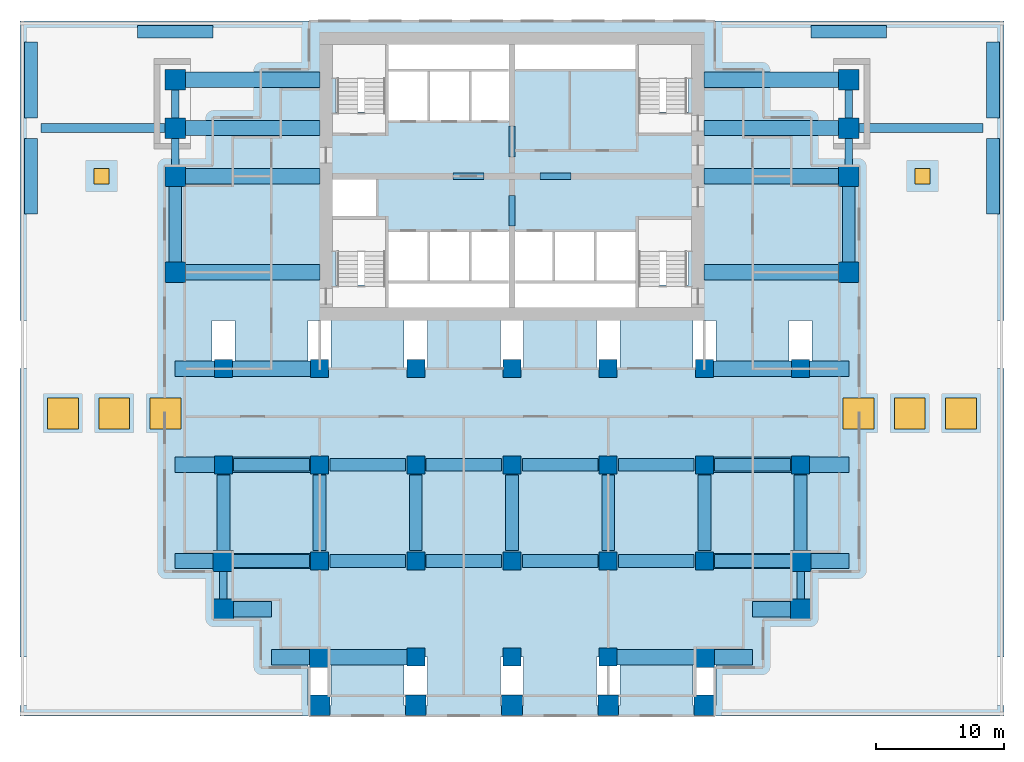
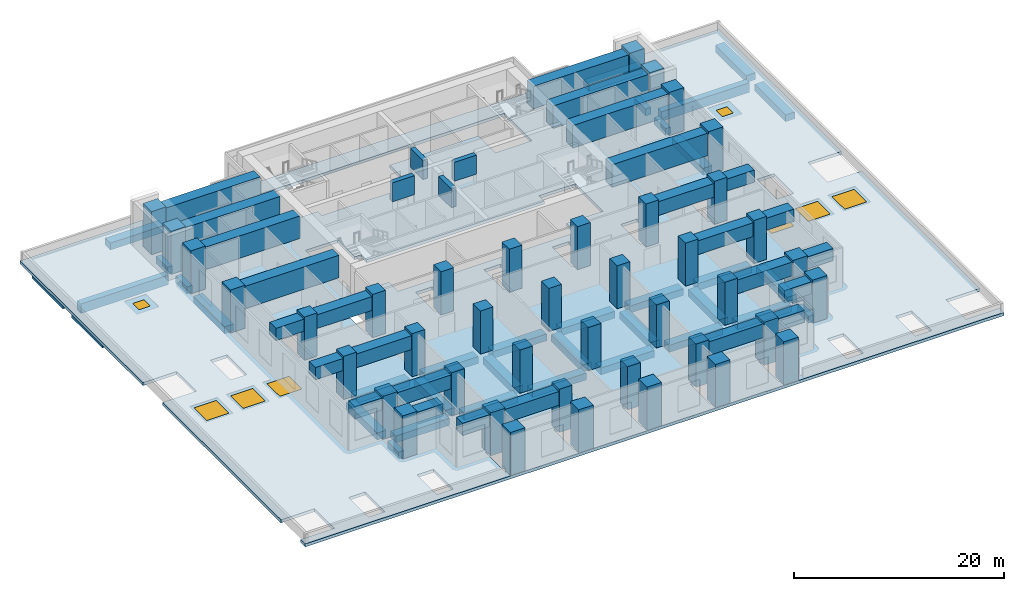
# One storey, part 1 of 9: 65 beams, 41 columns, 8 windows, 1 slab, 8 openings.
"""IFC4 building model written with IfcOpenShell, lengths in metres."""

from ifc_helpers import new_model, si_unit, direction, frame, origin, origin_2d, place, context, subcontext, project, spatial, polyline, rectangle, outline, extrude, material, layer, layer_set, material_profile, profile_set, type_object, element, fill, save


model = new_model("IFC4")

# Units and contexts
model_context = context("Model", 3, precision=1e-05, world=origin(), true_north=direction((0.0, 1.0)))
body_context = subcontext(model_context, "Body", "Model", "MODEL_VIEW")
ifc_project = project(units=[si_unit("LENGTHUNIT", "METRE"), si_unit("AREAUNIT", "SQUARE_METRE"), si_unit("VOLUMEUNIT", "CUBIC_METRE"), si_unit("PLANEANGLEUNIT", "RADIAN"), si_unit("MASSUNIT", "GRAM", prefix="KILO")], contexts=[model_context])

# Site, building, storey
site_placement = place(None, origin())
site = spatial("IfcSite", under=ifc_project, at=site_placement, CompositionType="ELEMENT")
building_placement = place(site_placement, origin())
building = spatial("IfcBuilding", under=site, at=building_placement, Name="Pilkhan Gate Tower", CompositionType="ELEMENT")
storey_placement = place(building_placement, frame((0.0, 0.0, 30.0)))
storey = spatial("IfcBuildingStorey", under=building, at=storey_placement, Name="L04", CompositionType="ELEMENT", Elevation=30.0)

# Columns
ifc_material_1 = material(Name="Concrete C70/85", Category="concrete")
ifc_material_profile_1 = material_profile(ifc_material_1, rectangle(XDim=1.39990234375, YDim=1.39990234375, at=origin_2d()), Name="RC 1400x1400")
ifc_profile_set_1 = profile_set([ifc_material_profile_1], Name="Concrete C70/85")
column_type_1 = type_object("IfcColumnType", Name="Column C140 RC 1400x1400 C70/85", PredefinedType="COLUMN", material=ifc_profile_set_1)
for number, where, z_axis, x_axis, name in (
    (1, (52.5, 60.0, 0.0), (0.0, 0.0, 1.0), (1.0, 0.0, 0.0), "Column 5/F L04"),
    (2, (52.5, 67.5, 0.0), (0.0, 0.0, 1.0), (1.0, 0.0, 0.0), "Column 5/H L04"),
    (3, (60.0, 52.5, 0.0), (0.0, 0.0, 1.0), (1.0, 0.0, 0.0), "Column 7/D L04"),
    (4, (60.0, 60.0, 0.0), (0.0, 0.0, 1.0), (1.0, 0.0, 0.0), "Column 7/F L04"),
    (5, (60.0, 67.5, 0.0), (0.0, 0.0, 1.0), (1.0, 0.0, 0.0), "Column 7/H L04"),
    (6, (67.5, 45.0, 0.0), (0.0, 0.0, 1.0), (1.0, 0.0, 0.0), "Column 9/B L04"),
    (7, (67.5, 52.5, 0.0), (0.0, 0.0, 1.0), (1.0, 0.0, 0.0), "Column 9/D L04"),
    (8, (67.5, 60.0, 0.0), (0.0, 0.0, 1.0), (1.0, 0.0, 0.0), "Column 9/F L04"),
    (9, (67.5, 67.5, 0.0), (0.0, 0.0, 1.0), (1.0, 0.0, 0.0), "Column 9/H L04"),
    (10, (75.0, 45.0, 0.0), (0.0, 0.0, 1.0), (1.0, 0.0, 0.0), "Column 11/B L04"),
    (11, (75.0, 52.5, 0.0), (0.0, 0.0, 1.0), (1.0, 0.0, 0.0), "Column 11/D L04"),
    (12, (75.0, 60.0, 0.0), (0.0, 0.0, 1.0), (1.0, 0.0, 0.0), "Column 11/F L04"),
    (13, (75.0, 67.5, 0.0), (0.0, 0.0, 1.0), (1.0, 0.0, 0.0), "Column 11/H L04"),
    (14, (82.5, 45.0, 0.0), (0.0, 0.0, 1.0), (1.0, 0.0, 0.0), "Column 13/B L04"),
    (15, (82.5, 52.5, 0.0), (0.0, 0.0, 1.0), (1.0, 0.0, 0.0), "Column 13/D L04"),
    (16, (82.5, 60.0, 0.0), (0.0, 0.0, 1.0), (1.0, 0.0, 0.0), "Column 13/F L04"),
    (17, (82.5, 67.5, 0.0), (0.0, 0.0, 1.0), (1.0, 0.0, 0.0), "Column 13/H L04"),
    (18, (90.0, 52.5, 0.0), (0.0, 0.0, 1.0), (1.0, 0.0, 0.0), "Column 15/D L04"),
    (19, (90.0, 60.0, 0.0), (0.0, 0.0, 1.0), (1.0, 0.0, 0.0), "Column 15/F L04"),
    (20, (90.0, 67.5, 0.0), (0.0, 0.0, 1.0), (1.0, 0.0, 0.0), "Column 15/H L04"),
    (21, (97.5, 60.0, 0.0), (0.0, 0.0, 1.0), (1.0, 0.0, 0.0), "Column 17/F L04"),
    (22, (97.5, 67.5, 0.0), (0.0, 0.0, 1.0), (1.0, 0.0, 0.0), "Column 17/H L04"),
):
    element("IfcColumn", number, at=place(storey_placement, frame(where, z_axis=z_axis, x_axis=x_axis)), inside=storey, type_object=column_type_1, Name=name, PredefinedType="COLUMN", context=body_context, shape_type="SweptSolid", body=[
        extrude(rectangle(XDim=1.39990234375, YDim=1.39990234375, at=origin_2d()), origin(), (0.0, 0.0, 1.0), 5.0),
    ])
ifc_material_profile_2 = material_profile(ifc_material_1, rectangle(XDim=1.60009765625, YDim=1.60009765625, at=origin_2d()), Name="RC 1600x1600")
ifc_profile_set_2 = profile_set([ifc_material_profile_2], Name="Concrete C70/85")
column_type_2 = type_object("IfcColumnType", Name="Column C160 RC 1600x1600 C70/85", PredefinedType="COLUMN", material=ifc_profile_set_2)
for number, where, z_axis, x_axis, name in (
    (23, (48.75, 75.0, 0.0), (0.0, 0.0, 1.0), (1.0, 0.0, 0.0), "Column 4/K L04"),
    (24, (48.75, 82.5, 0.0), (0.0, 0.0, 1.0), (1.0, 0.0, 0.0), "Column 4/M L04"),
    (25, (101.25, 75.0, 0.0), (0.0, 0.0, 1.0), (1.0, 0.0, 0.0), "Column 18/K L04"),
    (26, (101.25, 82.5, 0.0), (0.0, 0.0, 1.0), (1.0, 0.0, 0.0), "Column 18/M L04"),
    (27, (52.5, 48.75, 0.0), (0.0, 0.0, 1.0), (1.0, 0.0, 0.0), "Column 5/C L04"),
    (28, (52.5, 52.5, 0.0), (0.0, 0.0, 1.0), (1.0, 0.0, 0.0), "Column 5/D L04"),
    (29, (60.0, 41.25, 0.0), (0.0, 0.0, 1.0), (1.0, 0.0, 0.0), "Column 7/A L04"),
    (30, (60.0, 45.0, 0.0), (0.0, 0.0, 1.0), (1.0, 0.0, 0.0), "Column 7/B L04"),
    (31, (67.5, 41.25, 0.0), (0.0, 0.0, 1.0), (1.0, 0.0, 0.0), "Column 9/A L04"),
    (32, (75.0, 41.25, 0.0), (0.0, 0.0, 1.0), (1.0, 0.0, 0.0), "Column 11/A L04"),
    (33, (82.5, 41.25, 0.0), (0.0, 0.0, 1.0), (1.0, 0.0, 0.0), "Column 13/A L04"),
    (34, (90.0, 41.25, 0.0), (0.0, 0.0, 1.0), (1.0, 0.0, 0.0), "Column 15/A L04"),
    (35, (90.0, 45.0, 0.0), (0.0, 0.0, 1.0), (1.0, 0.0, 0.0), "Column 15/B L04"),
    (36, (97.5, 48.75, 0.0), (0.0, 0.0, 1.0), (1.0, 0.0, 0.0), "Column 17/C L04"),
    (37, (97.5, 52.5, 0.0), (0.0, 0.0, 1.0), (1.0, 0.0, 0.0), "Column 17/D L04"),
    (38, (48.75, 86.25, 0.0), (0.0, 0.0, 1.0), (1.0, 0.0, 0.0), "Column 4/N L04"),
    (39, (48.75, 90.0, 0.0), (0.0, 0.0, 1.0), (1.0, 0.0, 0.0), "Column 4/P L04"),
    (40, (101.25, 86.25, 0.0), (0.0, 0.0, 1.0), (1.0, 0.0, 0.0), "Column 18/N L04"),
    (41, (101.25, 90.0, 0.0), (0.0, 0.0, 1.0), (1.0, 0.0, 0.0), "Column 18/P L04"),
):
    element("IfcColumn", number, at=place(storey_placement, frame(where, z_axis=z_axis, x_axis=x_axis)), inside=storey, type_object=column_type_2, Name=name, PredefinedType="COLUMN", context=body_context, shape_type="SweptSolid", body=[
        extrude(rectangle(XDim=1.60009765625, YDim=1.60009765625, at=origin_2d()), origin(), (0.0, 0.0, 1.0), 5.0),
    ])

# Beams
ifc_material_profile_3 = material_profile(ifc_material_1, rectangle(XDim=0.5, YDim=2.199951171875, at=origin_2d()), Name="RC 500x2200")
ifc_profile_set_3 = profile_set([ifc_material_profile_3], Name="Concrete C70/85")
beam_type_1 = type_object("IfcBeamType", Name="Coupling beam CB220 RC 500x2200 C70/85", PredefinedType="LINTEL", material=ifc_profile_set_3)
for number, where, z_axis, x_axis, name in (
    (42, (70.39990234375, 82.5, 3.60009765625), (1.0, 0.0, 0.0), (0.0, 1.0, 0.0), "Coupling beam 1 L04"),
    (43, (77.199951171875, 82.5, 3.60009765625), (1.0, 0.0, 0.0), (0.0, 1.0, 0.0), "Coupling beam 2 L04"),
):
    element("IfcBeam", number, at=place(storey_placement, frame(where, z_axis=z_axis, x_axis=x_axis)), inside=storey, type_object=beam_type_1, Name=name, PredefinedType="LINTEL", context=body_context, shape_type="SweptSolid", body=[
        extrude(rectangle(XDim=0.5, YDim=2.199951171875, at=origin_2d()), origin(), (0.0, 0.0, 1.0), 2.400146484375),
    ])
for number, where, z_axis, x_axis, name in (
    (44, (75.0, 78.60009765625, 3.60009765625), (0.0, 1.0, 0.0), (-1.0, 0.0, 0.0), "Coupling beam 3 L04"),
    (45, (75.0, 84.0, 3.60009765625), (0.0, 1.0, 0.0), (-1.0, 0.0, 0.0), "Coupling beam 4 L04"),
):
    element("IfcBeam", number, at=place(storey_placement, frame(where, z_axis=z_axis, x_axis=x_axis)), inside=storey, type_object=beam_type_1, Name=name, PredefinedType="LINTEL", context=body_context, shape_type="SweptSolid", body=[
        extrude(rectangle(XDim=0.5, YDim=2.199951171875, at=origin_2d()), origin(), (0.0, 0.0, 1.0), 2.39990234375),
    ])
ifc_material_2 = material(Name="Concrete C50/60", Category="concrete")
ifc_material_profile_4 = material_profile(ifc_material_2, rectangle(XDim=0.699951171875, YDim=1.10009765625, at=origin_2d()), Name="RC 700x1100")
ifc_profile_set_4 = profile_set([ifc_material_profile_4], Name="Concrete C50/60")
beam_type_2 = type_object("IfcBeamType", Name="Podium girder PG110 RC 700x1100 C50/60", PredefinedType="BEAM", material=ifc_profile_set_4)
for number, where, z_axis, x_axis, name in (
    (46, (38.300048828125, 86.25, -0.89990234375), (1.0, 0.0, 0.0), (0.0, 1.0, 0.0), "Podium beam 3 L04"),
    (47, (102.050048828125, 86.25, -0.89990234375), (1.0, 0.0, 0.0), (0.0, 1.0, 0.0), "Podium beam 33 L04"),
):
    element("IfcBeam", number, at=place(storey_placement, frame(where, z_axis=z_axis, x_axis=x_axis)), inside=storey, type_object=beam_type_2, Name=name, PredefinedType="BEAM", context=body_context, shape_type="SweptSolid", body=[
        extrude(rectangle(XDim=0.699951171875, YDim=1.10009765625, at=origin_2d()), origin(), (0.0, 0.0, 1.0), 9.64990234375),
    ])
ifc_material_profile_5 = material_profile(ifc_material_2, rectangle(XDim=1.0, YDim=0.800048828125, at=origin_2d()), Name="RC 1000x800")
ifc_profile_set_5 = profile_set([ifc_material_profile_5], Name="Concrete C50/60")
beam_type_3 = type_object("IfcBeamType", Name="Podium joist PJ80 RC 1000x800 C50/60", PredefinedType="JOIST", material=ifc_profile_set_5)
for number, where, z_axis, x_axis, name in (
    (48, (37.5, 79.550048828125, -0.75), (0.0, 1.0, 0.0), (-1.0, 0.0, 0.0), "Podium beam 1 L04"),
    (49, (37.5, 87.050048828125, -0.75), (0.0, 1.0, 0.0), (-1.0, 0.0, 0.0), "Podium beam 2 L04"),
    (50, (45.800048828125, 93.75, -0.75), (1.0, 0.0, 0.0), (0.0, 1.0, 0.0), "Podium beam 4 L04"),
    (51, (48.75, 75.800048828125, -0.75), (0.0, 1.0, 0.0), (-1.0, 0.0, 0.0), "Podium beam 5 L04"),
    (52, (52.5, 53.300048828125, -0.75), (0.0, 1.0, 0.0), (-1.0, 0.0, 0.0), "Podium beam 9 L04"),
    (53, (53.300048828125, 52.5, -0.75), (1.0, 0.0, 0.0), (0.0, 1.0, 0.0), "Podium beam 10 L04"),
    (54, (53.300048828125, 60.0, -0.75), (1.0, 0.0, 0.0), (0.0, 1.0, 0.0), "Podium beam 11 L04"),
    (55, (60.0, 53.300048828125, -0.75), (0.0, 1.0, 0.0), (-1.0, 0.0, 0.0), "Podium beam 12 L04"),
    (56, (60.800048828125, 52.5, -0.75), (1.0, 0.0, 0.0), (0.0, 1.0, 0.0), "Podium beam 13 L04"),
    (57, (60.800048828125, 60.0, -0.75), (1.0, 0.0, 0.0), (0.0, 1.0, 0.0), "Podium beam 14 L04"),
    (58, (67.5, 53.300048828125, -0.75), (0.0, 1.0, 0.0), (-1.0, 0.0, 0.0), "Podium beam 15 L04"),
    (59, (68.300048828125, 52.5, -0.75), (1.0, 0.0, 0.0), (0.0, 1.0, 0.0), "Podium beam 16 L04"),
    (60, (68.300048828125, 60.0, -0.75), (1.0, 0.0, 0.0), (0.0, 1.0, 0.0), "Podium beam 17 L04"),
    (61, (75.0, 53.300048828125, -0.75), (0.0, 1.0, 0.0), (-1.0, 0.0, 0.0), "Podium beam 18 L04"),
    (62, (75.800048828125, 52.5, -0.75), (1.0, 0.0, 0.0), (0.0, 1.0, 0.0), "Podium beam 19 L04"),
    (63, (75.800048828125, 60.0, -0.75), (1.0, 0.0, 0.0), (0.0, 1.0, 0.0), "Podium beam 20 L04"),
    (64, (82.5, 53.300048828125, -0.75), (0.0, 1.0, 0.0), (-1.0, 0.0, 0.0), "Podium beam 21 L04"),
    (65, (83.300048828125, 52.5, -0.75), (1.0, 0.0, 0.0), (0.0, 1.0, 0.0), "Podium beam 22 L04"),
    (66, (83.300048828125, 60.0, -0.75), (1.0, 0.0, 0.0), (0.0, 1.0, 0.0), "Podium beam 23 L04"),
    (67, (90.0, 53.300048828125, -0.75), (0.0, 1.0, 0.0), (-1.0, 0.0, 0.0), "Podium beam 24 L04"),
    (68, (90.800048828125, 52.5, -0.75), (1.0, 0.0, 0.0), (0.0, 1.0, 0.0), "Podium beam 25 L04"),
    (69, (90.800048828125, 60.0, -0.75), (1.0, 0.0, 0.0), (0.0, 1.0, 0.0), "Podium beam 26 L04"),
    (70, (97.5, 53.300048828125, -0.75), (0.0, 1.0, 0.0), (-1.0, 0.0, 0.0), "Podium beam 28 L04"),
    (71, (98.300048828125, 93.75, -0.75), (1.0, 0.0, 0.0), (0.0, 1.0, 0.0), "Podium beam 29 L04"),
    (72, (101.25, 75.800048828125, -0.75), (0.0, 1.0, 0.0), (-1.0, 0.0, 0.0), "Podium beam 30 L04"),
    (73, (112.5, 79.550048828125, -0.75), (0.0, 1.0, 0.0), (-1.0, 0.0, 0.0), "Podium beam 34 L04"),
    (74, (112.5, 87.050048828125, -0.75), (0.0, 1.0, 0.0), (-1.0, 0.0, 0.0), "Podium beam 35 L04"),
):
    element("IfcBeam", number, at=place(storey_placement, frame(where, z_axis=z_axis, x_axis=x_axis)), inside=storey, type_object=beam_type_3, Name=name, PredefinedType="JOIST", context=body_context, shape_type="SweptSolid", body=[
        extrude(rectangle(XDim=1.0, YDim=0.800048828125, at=origin_2d()), origin(), (0.0, 0.0, 1.0), 5.89990234375),
    ])
ifc_material_profile_6 = material_profile(ifc_material_2, rectangle(XDim=0.60009765625, YDim=0.800048828125, at=origin_2d()), Name="RC 600x800")
ifc_profile_set_6 = profile_set([ifc_material_profile_6], Name="Concrete C50/60")
beam_type_4 = type_object("IfcBeamType", Name="Podium joist PJ81 RC 600x800 C50/60", PredefinedType="JOIST", material=ifc_profile_set_6)
for number, where, z_axis, x_axis, name in (
    (75, (48.75, 83.300048828125, -0.75), (0.0, 1.0, 0.0), (-1.0, 0.0, 0.0), "Podium beam 6 L04"),
    (76, (48.75, 87.050048828125, -0.75), (0.0, 1.0, 0.0), (-1.0, 0.0, 0.0), "Podium beam 7 L04"),
    (77, (52.5, 49.550048828125, -0.75), (0.0, 1.0, 0.0), (-1.0, 0.0, 0.0), "Podium beam 8 L04"),
    (78, (97.5, 49.550048828125, -0.75), (0.0, 1.0, 0.0), (-1.0, 0.0, 0.0), "Podium beam 27 L04"),
    (79, (101.25, 83.300048828125, -0.75), (0.0, 1.0, 0.0), (-1.0, 0.0, 0.0), "Podium beam 31 L04"),
    (80, (101.25, 87.050048828125, -0.75), (0.0, 1.0, 0.0), (-1.0, 0.0, 0.0), "Podium beam 32 L04"),
):
    element("IfcBeam", number, at=place(storey_placement, frame(where, z_axis=z_axis, x_axis=x_axis)), inside=storey, type_object=beam_type_4, Name=name, PredefinedType="JOIST", context=body_context, shape_type="SweptSolid", body=[
        extrude(rectangle(XDim=0.60009765625, YDim=0.800048828125, at=origin_2d()), origin(), (0.0, 0.0, 1.0), 2.14990234375),
    ])
ifc_material_profile_7 = material_profile(ifc_material_1, rectangle(XDim=1.199951171875, YDim=1.60009765625, at=origin_2d()), Name="RC 1200x1600")
ifc_profile_set_7 = profile_set([ifc_material_profile_7], Name="Concrete C70/85")
beam_type_5 = type_object("IfcBeamType", Name="Transfer girder back-span TG1B16 RC 1200x1600 C70/85", PredefinedType="BEAM", material=ifc_profile_set_7)
beam_1_placement = place(storey_placement, frame((53.25, 52.5, 3.89990234375), z_axis=(1.0, 0.0, 0.0), x_axis=(0.0, 1.0, 0.0)))
element("IfcBeam", 81, at=beam_1_placement, inside=storey, type_object=beam_type_5, Name="Transfer girder back-span 1 L04", PredefinedType="BEAM", context=body_context, shape_type="SweptSolid", body=[
    extrude(rectangle(XDim=1.199951171875, YDim=1.60009765625, at=origin_2d()), origin(), (0.0, 0.0, 1.0), 6.10009765625),
])
for number, where, z_axis, x_axis, name in (
    (82, (53.14990234375, 60.0, 3.89990234375), (1.0, 0.0, 0.0), (0.0, 1.0, 0.0), "Transfer girder back-span 2 L04"),
    (83, (53.14990234375, 67.5, 3.89990234375), (1.0, 0.0, 0.0), (0.0, 1.0, 0.0), "Transfer girder back-span 3 L04"),
):
    element("IfcBeam", number, at=place(storey_placement, frame(where, z_axis=z_axis, x_axis=x_axis)), inside=storey, type_object=beam_type_5, Name=name, PredefinedType="BEAM", context=body_context, shape_type="SweptSolid", body=[
        extrude(rectangle(XDim=1.199951171875, YDim=1.60009765625, at=origin_2d()), origin(), (0.0, 0.0, 1.0), 6.2001953125),
    ])
for number, where, z_axis, x_axis, name in (
    (84, (60.75, 45.0, 3.89990234375), (1.0, 0.0, 0.0), (0.0, 1.0, 0.0), "Transfer girder back-span 4 L04"),
    (85, (89.25, 45.0, 3.89990234375), (-1.0, 0.0, 0.0), (0.0, -1.0, 0.0), "Transfer girder back-span 6 L04"),
    (86, (96.75, 52.5, 3.89990234375), (-1.0, 0.0, 0.0), (0.0, -1.0, 0.0), "Transfer girder back-span 8 L04"),
):
    element("IfcBeam", number, at=place(storey_placement, frame(where, z_axis=z_axis, x_axis=x_axis)), inside=storey, type_object=beam_type_5, Name=name, PredefinedType="BEAM", context=body_context, shape_type="SweptSolid", body=[
        extrude(rectangle(XDim=1.199951171875, YDim=1.60009765625, at=origin_2d()), origin(), (0.0, 0.0, 1.0), 6.10009765625),
    ])
for number, where, z_axis, x_axis, name in (
    (87, (96.85009765625, 60.0, 3.89990234375), (-1.0, 0.0, 0.0), (0.0, -1.0, 0.0), "Transfer girder back-span 9 L04"),
    (88, (96.85009765625, 67.5, 3.89990234375), (-1.0, 0.0, 0.0), (0.0, -1.0, 0.0), "Transfer girder back-span 10 L04"),
):
    element("IfcBeam", number, at=place(storey_placement, frame(where, z_axis=z_axis, x_axis=x_axis)), inside=storey, type_object=beam_type_5, Name=name, PredefinedType="BEAM", context=body_context, shape_type="SweptSolid", body=[
        extrude(rectangle(XDim=1.199951171875, YDim=1.60009765625, at=origin_2d()), origin(), (0.0, 0.0, 1.0), 6.2001953125),
    ])
ifc_material_profile_8 = material_profile(ifc_material_1, rectangle(XDim=1.199951171875, YDim=1.39990234375, at=origin_2d()), Name="RC 1200x1400")
ifc_profile_set_8 = profile_set([ifc_material_profile_8], Name="Concrete C70/85")
beam_type_6 = type_object("IfcBeamType", Name="Transfer girder tip TG1T14 RC 1200x1400 C70/85", PredefinedType="BEAM", material=ifc_profile_set_8)
beam_2_placement = place(storey_placement, frame((48.75, 52.5, 4.0), z_axis=(1.0, 0.0, 0.0), x_axis=(0.0, 1.0, 0.0)))
element("IfcBeam", 89, at=beam_2_placement, inside=storey, type_object=beam_type_6, Name="Transfer girder 1 L04", PredefinedType="BEAM", context=body_context, shape_type="SweptSolid", body=[
    extrude(rectangle(XDim=1.199951171875, YDim=1.39990234375, at=origin_2d()), origin(), (0.0, 0.0, 1.0), 2.949951171875),
])
for number, where, z_axis, x_axis, name in (
    (90, (48.75, 60.0, 4.0), (1.0, 0.0, 0.0), (0.0, 1.0, 0.0), "Transfer girder 2 L04"),
    (91, (48.75, 67.5, 4.0), (1.0, 0.0, 0.0), (0.0, 1.0, 0.0), "Transfer girder 3 L04"),
):
    element("IfcBeam", number, at=place(storey_placement, frame(where, z_axis=z_axis, x_axis=x_axis)), inside=storey, type_object=beam_type_6, Name=name, PredefinedType="BEAM", context=body_context, shape_type="SweptSolid", body=[
        extrude(rectangle(XDim=1.199951171875, YDim=1.39990234375, at=origin_2d()), origin(), (0.0, 0.0, 1.0), 3.050048828125),
    ])
for number, where, z_axis, x_axis, name in (
    (92, (56.25, 45.0, 4.0), (1.0, 0.0, 0.0), (0.0, 1.0, 0.0), "Transfer girder 4 L04"),
    (93, (56.25, 48.75, 4.0), (-1.0, 0.0, 0.0), (0.0, -1.0, 0.0), "Transfer girder 5 L04"),
    (94, (93.75, 45.0, 4.0), (-1.0, 0.0, 0.0), (0.0, -1.0, 0.0), "Transfer girder 6 L04"),
    (95, (93.75, 48.75, 4.0), (1.0, 0.0, 0.0), (0.0, 1.0, 0.0), "Transfer girder 7 L04"),
    (96, (101.25, 52.5, 4.0), (-1.0, 0.0, 0.0), (0.0, -1.0, 0.0), "Transfer girder 8 L04"),
):
    element("IfcBeam", number, at=place(storey_placement, frame(where, z_axis=z_axis, x_axis=x_axis)), inside=storey, type_object=beam_type_6, Name=name, PredefinedType="BEAM", context=body_context, shape_type="SweptSolid", body=[
        extrude(rectangle(XDim=1.199951171875, YDim=1.39990234375, at=origin_2d()), origin(), (0.0, 0.0, 1.0), 2.949951171875),
    ])
for number, where, z_axis, x_axis, name in (
    (97, (101.25, 60.0, 4.0), (-1.0, 0.0, 0.0), (0.0, -1.0, 0.0), "Transfer girder 9 L04"),
    (98, (101.25, 67.5, 4.0), (-1.0, 0.0, 0.0), (0.0, -1.0, 0.0), "Transfer girder 10 L04"),
):
    element("IfcBeam", number, at=place(storey_placement, frame(where, z_axis=z_axis, x_axis=x_axis)), inside=storey, type_object=beam_type_6, Name=name, PredefinedType="BEAM", context=body_context, shape_type="SweptSolid", body=[
        extrude(rectangle(XDim=1.199951171875, YDim=1.39990234375, at=origin_2d()), origin(), (0.0, 0.0, 1.0), 3.050048828125),
    ])
ifc_material_profile_9 = material_profile(ifc_material_1, rectangle(XDim=1.199951171875, YDim=2.60009765625, at=origin_2d()), Name="RC 1200x2600")
ifc_profile_set_9 = profile_set([ifc_material_profile_9], Name="Concrete C70/85")
beam_type_7 = type_object("IfcBeamType", Name="Transfer girder wing TG1W RC 1200x2600 C70/85", PredefinedType="BEAM", material=ifc_profile_set_9)
for number, where, z_axis, x_axis, name in (
    (99, (49.550048828125, 75.0, 3.39990234375), (1.0, 0.0, 0.0), (0.0, 1.0, 0.0), "Transfer girder wing 1 L04"),
    (100, (49.550048828125, 82.5, 3.39990234375), (1.0, 0.0, 0.0), (0.0, 1.0, 0.0), "Transfer girder wing 2 L04"),
    (101, (49.550048828125, 86.25, 3.39990234375), (1.0, 0.0, 0.0), (0.0, 1.0, 0.0), "Transfer girder wing 3 L04"),
    (102, (49.550048828125, 90.0, 3.39990234375), (1.0, 0.0, 0.0), (0.0, 1.0, 0.0), "Transfer girder wing 4 L04"),
    (103, (100.449951171875, 75.0, 3.39990234375), (-1.0, 0.0, 0.0), (0.0, -1.0, 0.0), "Transfer girder wing 5 L04"),
    (104, (100.449951171875, 82.5, 3.39990234375), (-1.0, 0.0, 0.0), (0.0, -1.0, 0.0), "Transfer girder wing 6 L04"),
    (105, (100.449951171875, 86.25, 3.39990234375), (-1.0, 0.0, 0.0), (0.0, -1.0, 0.0), "Transfer girder wing 7 L04"),
    (106, (100.449951171875, 90.0, 3.39990234375), (-1.0, 0.0, 0.0), (0.0, -1.0, 0.0), "Transfer girder wing 8 L04"),
):
    element("IfcBeam", number, at=place(storey_placement, frame(where, z_axis=z_axis, x_axis=x_axis)), inside=storey, type_object=beam_type_7, Name=name, PredefinedType="BEAM", context=body_context, shape_type="SweptSolid", body=[
        extrude(rectangle(XDim=1.199951171875, YDim=2.60009765625, at=origin_2d()), origin(), (0.0, 0.0, 1.0), 10.469970703125),
    ])

# Slab, openings, windows
ifc_material_3 = material(Name="Concrete C40/50", Category="concrete")
ifc_layer = layer(ifc_material_3, 0.35009765625)
ifc_layer_set = layer_set([ifc_layer], Name="Flat plate slab FP350")
slab_type = type_object("IfcSlabType", Name="Flat plate slab FP350", PredefinedType="FLOOR", material=ifc_layer_set)
slab_placement = place(storey_placement, frame((0.0, 0.0, -0.35009765625)))
slab = element("IfcSlab", 107, at=slab_placement, inside=storey, type_object=slab_type, Name="Floor slab L04", PredefinedType="FLOOR", context=body_context, shape_type="SweptSolid", body=[
    extrude(outline(polyline([(36.64990234375, 41.25), (40.35009765625, 41.25), (40.35009765625, 45.0), (36.64990234375, 45.0), (36.64990234375, 67.5), (40.35009765625, 67.5), (40.35009765625, 71.25), (36.64990234375, 71.25), (36.64990234375, 94.60009765625), (59.14990234375, 94.60009765625), (90.85009765625, 94.60009765625), (113.35009765625, 94.60009765625), (113.35009765625, 71.25), (109.64990234375, 71.25), (109.64990234375, 67.5), (113.35009765625, 67.5), (113.35009765625, 45.0), (109.64990234375, 45.0), (109.64990234375, 41.25), (113.35009765625, 41.25), (113.35009765625, 40.39990234375), (90.85009765625, 40.39990234375), (59.14990234375, 40.39990234375), (36.64990234375, 40.39990234375), (36.64990234375, 41.25)]), holes=[polyline([(105.89990234375, 71.25), (104.10009765625, 71.25), (104.10009765625, 67.5), (105.89990234375, 67.5), (105.89990234375, 71.25)]), polyline([(105.89990234375, 45.0), (104.10009765625, 45.0), (104.10009765625, 41.25), (105.89990234375, 41.25), (105.89990234375, 45.0)]), polyline([(98.39990234375, 67.5), (98.39990234375, 71.25), (96.60009765625, 71.25), (96.60009765625, 67.5), (98.39990234375, 67.5)]), polyline([(98.39990234375, 41.25), (98.39990234375, 45.0), (96.60009765625, 45.0), (96.60009765625, 41.25), (98.39990234375, 41.25)]), polyline([(90.89990234375, 45.0), (89.10009765625, 45.0), (89.10009765625, 41.25), (90.89990234375, 41.25), (90.89990234375, 45.0)]), polyline([(90.89990234375, 67.5), (90.89990234375, 71.25), (89.10009765625, 71.25), (89.10009765625, 67.5), (90.89990234375, 67.5)]), polyline([(65.25, 74.0), (65.25, 72.25), (75.0, 72.25), (84.75, 72.25), (84.75, 74.0), (88.75, 74.0), (88.75, 79.25), (84.75, 79.25), (84.75, 78.25), (81.5, 78.25), (78.25, 78.25), (75.0, 78.25), (71.75, 78.25), (68.5, 78.25), (65.25, 78.25), (65.25, 79.25), (64.5, 79.25), (64.5, 82.5), (61.25, 82.5), (61.0, 82.5), (61.0, 79.25), (61.25, 79.25), (61.25, 74.0), (65.25, 74.0)]), polyline([(61.25, 87.5), (65.25, 87.5), (65.25, 86.75), (68.5, 86.75), (71.75, 86.75), (75.0, 86.75), (75.0, 90.75), (84.75, 90.75), (84.75, 87.5), (88.75, 87.5), (88.75, 92.75), (84.75, 92.75), (75.0, 92.75), (65.25, 92.75), (61.25, 92.75), (61.25, 87.5)]), polyline([(83.39990234375, 71.25), (81.60009765625, 71.25), (81.60009765625, 67.5), (83.39990234375, 67.5), (83.39990234375, 71.25)]), polyline([(83.39990234375, 41.25), (83.39990234375, 45.0), (81.60009765625, 45.0), (81.60009765625, 41.25), (83.39990234375, 41.25)]), polyline([(75.89990234375, 45.0), (74.10009765625, 45.0), (74.10009765625, 41.25), (75.89990234375, 41.25), (75.89990234375, 45.0)]), polyline([(75.89990234375, 71.25), (74.10009765625, 71.25), (74.10009765625, 67.5), (75.89990234375, 67.5), (75.89990234375, 71.25)]), polyline([(68.39990234375, 67.5), (68.39990234375, 71.25), (66.60009765625, 71.25), (66.60009765625, 67.5), (68.39990234375, 67.5)]), polyline([(68.39990234375, 41.25), (68.39990234375, 45.0), (66.60009765625, 45.0), (66.60009765625, 41.25), (68.39990234375, 41.25)]), polyline([(60.89990234375, 71.25), (59.10009765625, 71.25), (59.10009765625, 67.5), (60.89990234375, 67.5), (60.89990234375, 71.25)]), polyline([(60.89990234375, 41.25), (60.89990234375, 45.0), (59.10009765625, 45.0), (59.10009765625, 41.25), (60.89990234375, 41.25)]), polyline([(53.39990234375, 71.25), (51.60009765625, 71.25), (51.60009765625, 67.5), (53.39990234375, 67.5), (53.39990234375, 71.25)]), polyline([(53.39990234375, 45.0), (51.60009765625, 45.0), (51.60009765625, 41.25), (53.39990234375, 41.25), (53.39990234375, 45.0)]), polyline([(45.89990234375, 71.25), (44.10009765625, 71.25), (44.10009765625, 67.5), (45.89990234375, 67.5), (45.89990234375, 71.25)]), polyline([(45.89990234375, 45.0), (44.10009765625, 45.0), (44.10009765625, 41.25), (45.89990234375, 41.25), (45.89990234375, 45.0)])]), origin(), (0.0, 0.0, 1.0), 0.35009765625),
])
opening_1_placement = place(slab_placement, frame((43.0, 82.5, 0.0)))
opening_1 = element("IfcOpeningElement", 108, at=opening_1_placement, cuts=slab, Name="Opening H1", PredefinedType="OPENING", context=body_context, shape_type="SweptSolid", body=[
    extrude(rectangle(XDim=1.199951171875, YDim=1.199951171875, at=origin_2d()), frame((0.0, 0.0, -0.010009765625)), (0.0, 0.0, 1.0), 0.3701171875),
])
opening_2_placement = place(slab_placement, frame((107.0, 82.5, 0.0)))
opening_2 = element("IfcOpeningElement", 109, at=opening_2_placement, cuts=slab, Name="Opening H1", PredefinedType="OPENING", context=body_context, shape_type="SweptSolid", body=[
    extrude(rectangle(XDim=1.199951171875, YDim=1.199951171875, at=origin_2d()), frame((0.0, 0.0, -0.010009765625)), (0.0, 0.0, 1.0), 0.3701171875),
])
opening_3_placement = place(slab_placement, frame((40.0, 64.0, 0.0)))
opening_3 = element("IfcOpeningElement", 110, at=opening_3_placement, cuts=slab, Name="Opening RL24", PredefinedType="OPENING", context=body_context, shape_type="SweptSolid", body=[
    extrude(rectangle(XDim=2.39990234375, YDim=2.39990234375, at=origin_2d()), frame((0.0, 0.0, -0.010009765625)), (0.0, 0.0, 1.0), 0.3701171875),
])
opening_4_placement = place(slab_placement, frame((110.0, 64.0, 0.0)))
opening_4 = element("IfcOpeningElement", 111, at=opening_4_placement, cuts=slab, Name="Opening RL24", PredefinedType="OPENING", context=body_context, shape_type="SweptSolid", body=[
    extrude(rectangle(XDim=2.39990234375, YDim=2.39990234375, at=origin_2d()), frame((0.0, 0.0, -0.010009765625)), (0.0, 0.0, 1.0), 0.3701171875),
])
opening_5_placement = place(slab_placement, frame((44.0, 64.0, 0.0)))
opening_5 = element("IfcOpeningElement", 112, at=opening_5_placement, cuts=slab, Name="Opening RL24", PredefinedType="OPENING", context=body_context, shape_type="SweptSolid", body=[
    extrude(rectangle(XDim=2.39990234375, YDim=2.39990234375, at=origin_2d()), frame((0.0, 0.0, -0.010009765625)), (0.0, 0.0, 1.0), 0.3701171875),
])
opening_6_placement = place(slab_placement, frame((106.0, 64.0, 0.0)))
opening_6 = element("IfcOpeningElement", 113, at=opening_6_placement, cuts=slab, Name="Opening RL24", PredefinedType="OPENING", context=body_context, shape_type="SweptSolid", body=[
    extrude(rectangle(XDim=2.39990234375, YDim=2.39990234375, at=origin_2d()), frame((0.0, 0.0, -0.010009765625)), (0.0, 0.0, 1.0), 0.3701171875),
])
opening_7_placement = place(slab_placement, frame((48.0, 64.0, 0.0)))
opening_7 = element("IfcOpeningElement", 114, at=opening_7_placement, cuts=slab, Name="Opening RL24", PredefinedType="OPENING", context=body_context, shape_type="SweptSolid", body=[
    extrude(rectangle(XDim=2.39990234375, YDim=2.39990234375, at=origin_2d()), frame((0.0, 0.0, -0.010009765625)), (0.0, 0.0, 1.0), 0.3701171875),
])
opening_8_placement = place(slab_placement, frame((102.0, 64.0, 0.0)))
opening_8 = element("IfcOpeningElement", 115, at=opening_8_placement, cuts=slab, Name="Opening RL24", PredefinedType="OPENING", context=body_context, shape_type="SweptSolid", body=[
    extrude(rectangle(XDim=2.39990234375, YDim=2.39990234375, at=origin_2d()), frame((0.0, 0.0, -0.010009765625)), (0.0, 0.0, 1.0), 0.3701171875),
])
ifc_material_4 = material(Name="Galvanised steel insulated hatch", Category="steel")
window_type_1 = type_object("IfcWindowType", Name="Roof access hatch H1 1200x1200", PartitioningType="SINGLE_PANEL", PredefinedType="SKYLIGHT", material=ifc_material_4)
window_1_placement = place(opening_1_placement, frame((0.0, 0.0, 0.300048828125)))
window_1 = element("IfcWindow", 116, at=window_1_placement, inside=storey, type_object=window_type_1, Name="Roof access hatch", OverallHeight=1.199951171875, OverallWidth=1.199951171875, PartitioningType="SINGLE_PANEL", PredefinedType="SKYLIGHT", context=body_context, shape_type="SweptSolid", body=[
    extrude(rectangle(XDim=1.199951171875, YDim=1.199951171875, at=origin_2d()), origin(), (0.0, 0.0, 1.0), 0.050048828125),
])
fill(opening_1, window_1)
window_2_placement = place(opening_2_placement, frame((0.0, 0.0, 0.300048828125)))
window_2 = element("IfcWindow", 117, at=window_2_placement, inside=storey, type_object=window_type_1, Name="Roof access hatch", OverallHeight=1.199951171875, OverallWidth=1.199951171875, PartitioningType="SINGLE_PANEL", PredefinedType="SKYLIGHT", context=body_context, shape_type="SweptSolid", body=[
    extrude(rectangle(XDim=1.199951171875, YDim=1.199951171875, at=origin_2d()), origin(), (0.0, 0.0, 1.0), 0.050048828125),
])
fill(opening_2, window_2)
ifc_material_5 = material(Name="Pale anodised aluminium, clear laminated glazing", Category="aluminium")
window_type_2 = type_object("IfcWindowType", Name="Roof light RL 2400x2400", PartitioningType="SINGLE_PANEL", PredefinedType="SKYLIGHT", material=ifc_material_5)
window_3_placement = place(opening_3_placement, frame((0.0, 0.0, 0.300048828125)))
window_3 = element("IfcWindow", 118, at=window_3_placement, inside=storey, type_object=window_type_2, Name="Roof light CC 1", OverallHeight=2.39990234375, OverallWidth=2.39990234375, PartitioningType="SINGLE_PANEL", PredefinedType="SKYLIGHT", context=body_context, shape_type="SweptSolid", body=[
    extrude(rectangle(XDim=2.39990234375, YDim=2.39990234375, at=origin_2d()), origin(), (0.0, 0.0, 1.0), 0.050048828125),
])
fill(opening_3, window_3)
window_4_placement = place(opening_4_placement, frame((0.0, 0.0, 0.300048828125)))
window_4 = element("IfcWindow", 119, at=window_4_placement, inside=storey, type_object=window_type_2, Name="Roof light CC 2", OverallHeight=2.39990234375, OverallWidth=2.39990234375, PartitioningType="SINGLE_PANEL", PredefinedType="SKYLIGHT", context=body_context, shape_type="SweptSolid", body=[
    extrude(rectangle(XDim=2.39990234375, YDim=2.39990234375, at=origin_2d()), origin(), (0.0, 0.0, 1.0), 0.050048828125),
])
fill(opening_4, window_4)
window_5_placement = place(opening_5_placement, frame((0.0, 0.0, 0.300048828125)))
window_5 = element("IfcWindow", 120, at=window_5_placement, inside=storey, type_object=window_type_2, Name="Roof light CC 3", OverallHeight=2.39990234375, OverallWidth=2.39990234375, PartitioningType="SINGLE_PANEL", PredefinedType="SKYLIGHT", context=body_context, shape_type="SweptSolid", body=[
    extrude(rectangle(XDim=2.39990234375, YDim=2.39990234375, at=origin_2d()), origin(), (0.0, 0.0, 1.0), 0.050048828125),
])
fill(opening_5, window_5)
window_6_placement = place(opening_6_placement, frame((0.0, 0.0, 0.300048828125)))
window_6 = element("IfcWindow", 121, at=window_6_placement, inside=storey, type_object=window_type_2, Name="Roof light CC 4", OverallHeight=2.39990234375, OverallWidth=2.39990234375, PartitioningType="SINGLE_PANEL", PredefinedType="SKYLIGHT", context=body_context, shape_type="SweptSolid", body=[
    extrude(rectangle(XDim=2.39990234375, YDim=2.39990234375, at=origin_2d()), origin(), (0.0, 0.0, 1.0), 0.050048828125),
])
fill(opening_6, window_6)
window_7_placement = place(opening_7_placement, frame((0.0, 0.0, 0.300048828125)))
window_7 = element("IfcWindow", 122, at=window_7_placement, inside=storey, type_object=window_type_2, Name="Roof light CC 5", OverallHeight=2.39990234375, OverallWidth=2.39990234375, PartitioningType="SINGLE_PANEL", PredefinedType="SKYLIGHT", context=body_context, shape_type="SweptSolid", body=[
    extrude(rectangle(XDim=2.39990234375, YDim=2.39990234375, at=origin_2d()), origin(), (0.0, 0.0, 1.0), 0.050048828125),
])
fill(opening_7, window_7)
window_8_placement = place(opening_8_placement, frame((0.0, 0.0, 0.300048828125)))
window_8 = element("IfcWindow", 123, at=window_8_placement, inside=storey, type_object=window_type_2, Name="Roof light CC 6", OverallHeight=2.39990234375, OverallWidth=2.39990234375, PartitioningType="SINGLE_PANEL", PredefinedType="SKYLIGHT", context=body_context, shape_type="SweptSolid", body=[
    extrude(rectangle(XDim=2.39990234375, YDim=2.39990234375, at=origin_2d()), origin(), (0.0, 0.0, 1.0), 0.050048828125),
])
fill(opening_8, window_8)

save(model, "model.ifc")
